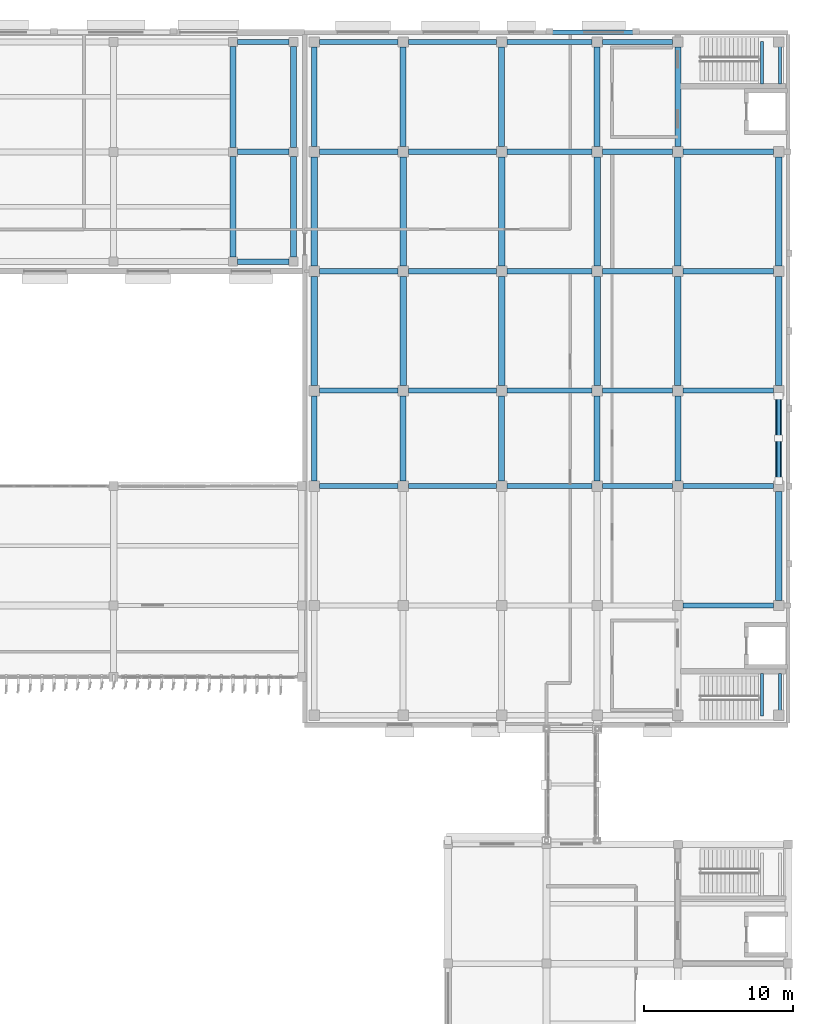
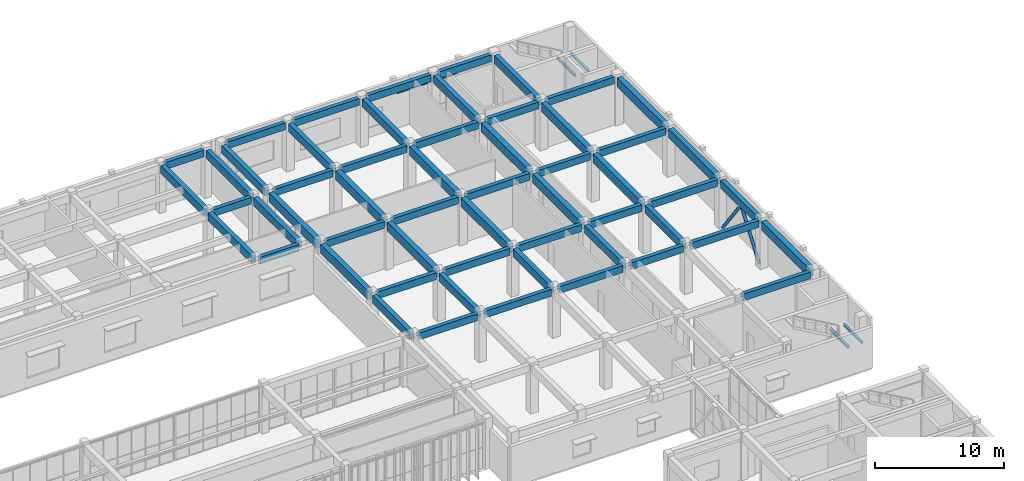
# One storey, part 26 of 64: 61 beams, 2 members.
"""IFC4 building model written with IfcOpenShell, lengths in metres."""

from ifc_helpers import new_model, si_unit, direction, frame, origin, origin_2d, place, context, subcontext, project, spatial, rectangle, hollow_circle, i_section, extrude, material, material_profile, profile_set, type_object, element, save


model = new_model("IFC4")

# Units and contexts
model_context = context("Model", 3, precision=1e-05, world=origin(), true_north=direction((0.0, 1.0)))
body_context = subcontext(model_context, "Body", "Model", "MODEL_VIEW")
ifc_project = project(units=[si_unit("LENGTHUNIT", "METRE"), si_unit("AREAUNIT", "SQUARE_METRE"), si_unit("VOLUMEUNIT", "CUBIC_METRE"), si_unit("PLANEANGLEUNIT", "RADIAN"), si_unit("MASSUNIT", "GRAM", prefix="KILO")], contexts=[model_context])

# Site, building, storey
site_placement = place(None, origin())
site = spatial("IfcSite", under=ifc_project, at=site_placement, CompositionType="ELEMENT")
building_placement = place(site_placement, origin())
building = spatial("IfcBuilding", under=site, at=building_placement, Name="Cinchona Park Media Centre", CompositionType="ELEMENT")
storey_placement = place(building_placement, frame((0.0, 0.0, 5.39990234375)))
storey = spatial("IfcBuildingStorey", under=building, at=storey_placement, Name="L01", CompositionType="ELEMENT", Elevation=5.39990234375)

# Beams
ifc_material_1 = material(Name="Concrete C35/45", Category="concrete")
ifc_material_profile_1 = material_profile(ifc_material_1, rectangle(XDim=0.39990234375, YDim=0.75, at=origin_2d()), Name="RB 400X750")
ifc_profile_set_1 = profile_set([ifc_material_profile_1], Name="Concrete C35/45")
beam_type_1 = type_object("IfcBeamType", Name="BEAM-B01-RB400X750", PredefinedType="BEAM", material=ifc_profile_set_1)
for number, where, z_axis, x_axis, name in (
    (1, (134.800048828125, 102.93994140625, 4.1650390625), (0.0, 1.0, 0.0), (-1.0, 0.0, 0.0), "Girder B01 L01"),
    (2, (134.800048828125, 110.300048828125, 4.1650390625), (0.0, 1.0, 0.0), (-1.0, 0.0, 0.0), "Girder B01 L01"),
    (3, (138.860107421875, 102.93994140625, 4.1650390625), (0.0, 1.0, 0.0), (-1.0, 0.0, 0.0), "Girder B01 L01"),
    (4, (138.860107421875, 110.300048828125, 4.1650390625), (0.0, 1.0, 0.0), (-1.0, 0.0, 0.0), "Girder B01 L01"),
):
    element("IfcBeam", number, at=place(storey_placement, frame(where, z_axis=z_axis, x_axis=x_axis)), inside=storey, type_object=beam_type_1, Name=name, PredefinedType="BEAM", context=body_context, shape_type="SweptSolid", body=[
        extrude(rectangle(XDim=0.39990234375, YDim=0.75, at=origin_2d()), origin(), (0.0, 0.0, 1.0), 6.760009765625),
    ])
beam_1_placement = place(storey_placement, frame((140.239990234375, 87.949951171875, 4.175048828125), z_axis=(0.0, 1.0, 0.0), x_axis=(-1.0, 0.0, 0.0)))
element("IfcBeam", 5, at=beam_1_placement, inside=storey, type_object=beam_type_1, Name="Girder B01 L01", PredefinedType="BEAM", context=body_context, shape_type="SweptSolid", body=[
    extrude(rectangle(XDim=0.39990234375, YDim=0.75, at=origin_2d()), origin(), (0.0, 0.0, 1.0), 5.699951171875),
])
beam_2_placement = place(storey_placement, frame((140.239990234375, 110.35009765625, 4.175048828125), z_axis=(0.0, 1.0, 0.0), x_axis=(-1.0, 0.0, 0.0)))
element("IfcBeam", 6, at=beam_2_placement, inside=storey, type_object=beam_type_1, Name="Girder B01 L01", PredefinedType="BEAM", context=body_context, shape_type="SweptSolid", body=[
    extrude(rectangle(XDim=0.39990234375, YDim=0.75, at=origin_2d()), origin(), (0.0, 0.0, 1.0), 6.659912109375),
])
beam_3_placement = place(storey_placement, frame((146.199951171875, 87.949951171875, 4.175048828125), z_axis=(0.0, 1.0, 0.0), x_axis=(-1.0, 0.0, 0.0)))
element("IfcBeam", 7, at=beam_3_placement, inside=storey, type_object=beam_type_1, Name="Girder B01 L01", PredefinedType="BEAM", context=body_context, shape_type="SweptSolid", body=[
    extrude(rectangle(XDim=0.39990234375, YDim=0.75, at=origin_2d()), origin(), (0.0, 0.0, 1.0), 5.699951171875),
])
beam_4_placement = place(storey_placement, frame((146.199951171875, 110.35009765625, 4.175048828125), z_axis=(0.0, 1.0, 0.0), x_axis=(-1.0, 0.0, 0.0)))
element("IfcBeam", 8, at=beam_4_placement, inside=storey, type_object=beam_type_1, Name="Girder B01 L01", PredefinedType="BEAM", context=body_context, shape_type="SweptSolid", body=[
    extrude(rectangle(XDim=0.39990234375, YDim=0.75, at=origin_2d()), origin(), (0.0, 0.0, 1.0), 6.659912109375),
])
beam_5_placement = place(storey_placement, frame((152.800048828125, 87.949951171875, 4.175048828125), z_axis=(0.0, 1.0, 0.0), x_axis=(-1.0, 0.0, 0.0)))
element("IfcBeam", 9, at=beam_5_placement, inside=storey, type_object=beam_type_1, Name="Girder B01 L01", PredefinedType="BEAM", context=body_context, shape_type="SweptSolid", body=[
    extrude(rectangle(XDim=0.39990234375, YDim=0.75, at=origin_2d()), origin(), (0.0, 0.0, 1.0), 5.699951171875),
])
beam_6_placement = place(storey_placement, frame((152.800048828125, 110.35009765625, 4.175048828125), z_axis=(0.0, 1.0, 0.0), x_axis=(-1.0, 0.0, 0.0)))
element("IfcBeam", 10, at=beam_6_placement, inside=storey, type_object=beam_type_1, Name="Girder B01 L01", PredefinedType="BEAM", context=body_context, shape_type="SweptSolid", body=[
    extrude(rectangle(XDim=0.39990234375, YDim=0.75, at=origin_2d()), origin(), (0.0, 0.0, 1.0), 6.659912109375),
])
beam_7_placement = place(storey_placement, frame((159.199951171875, 87.949951171875, 4.175048828125), z_axis=(0.0, 1.0, 0.0), x_axis=(-1.0, 0.0, 0.0)))
element("IfcBeam", 11, at=beam_7_placement, inside=storey, type_object=beam_type_1, Name="Girder B01 L01", PredefinedType="BEAM", context=body_context, shape_type="SweptSolid", body=[
    extrude(rectangle(XDim=0.39990234375, YDim=0.75, at=origin_2d()), origin(), (0.0, 0.0, 1.0), 5.699951171875),
])
beam_8_placement = place(storey_placement, frame((159.199951171875, 110.35009765625, 4.175048828125), z_axis=(0.0, 1.0, 0.0), x_axis=(-1.0, 0.0, 0.0)))
element("IfcBeam", 12, at=beam_8_placement, inside=storey, type_object=beam_type_1, Name="Girder B01 L01", PredefinedType="BEAM", context=body_context, shape_type="SweptSolid", body=[
    extrude(rectangle(XDim=0.39990234375, YDim=0.75, at=origin_2d()), origin(), (0.0, 0.0, 1.0), 6.659912109375),
])
beam_9_placement = place(storey_placement, frame((164.60009765625, 87.949951171875, 4.175048828125), z_axis=(0.0, 1.0, 0.0), x_axis=(-1.0, 0.0, 0.0)))
element("IfcBeam", 13, at=beam_9_placement, inside=storey, type_object=beam_type_1, Name="Girder B01 L01", PredefinedType="BEAM", context=body_context, shape_type="SweptSolid", body=[
    extrude(rectangle(XDim=0.39990234375, YDim=0.75, at=origin_2d()), origin(), (0.0, 0.0, 1.0), 5.699951171875),
])
beam_10_placement = place(storey_placement, frame((164.60009765625, 110.35009765625, 4.175048828125), z_axis=(0.0, 1.0, 0.0), x_axis=(-1.0, 0.0, 0.0)))
element("IfcBeam", 14, at=beam_10_placement, inside=storey, type_object=beam_type_1, Name="Girder B01 L01", PredefinedType="BEAM", context=body_context, shape_type="SweptSolid", body=[
    extrude(rectangle(XDim=0.39990234375, YDim=0.75, at=origin_2d()), origin(), (0.0, 0.0, 1.0), 6.659912109375),
])
beam_11_placement = place(storey_placement, frame((171.360107421875, 87.949951171875, 4.175048828125), z_axis=(0.0, 1.0, 0.0), x_axis=(-1.0, 0.0, 0.0)))
element("IfcBeam", 15, at=beam_11_placement, inside=storey, type_object=beam_type_1, Name="Girder B01 L01", PredefinedType="BEAM", context=body_context, shape_type="SweptSolid", body=[
    extrude(rectangle(XDim=0.39990234375, YDim=0.75, at=origin_2d()), origin(), (0.0, 0.0, 1.0), 5.699951171875),
])
ifc_material_2 = material(Name="Concrete C35/45", Category="concrete")
ifc_material_profile_2 = material_profile(ifc_material_2, rectangle(XDim=0.449951171875, YDim=0.85009765625, at=origin_2d()), Name="RB 450X850")
ifc_profile_set_2 = profile_set([ifc_material_profile_2], Name="Concrete C35/45")
beam_type_2 = type_object("IfcBeamType", Name="BEAM-B02-RB450X850", PredefinedType="BEAM", material=ifc_profile_set_2)
for number, where, z_axis, x_axis, name in (
    (16, (140.239990234375, 94.35009765625, 4.125), (0.0, 1.0, 0.0), (-1.0, 0.0, 0.0), "Girder B02 L01"),
    (17, (140.239990234375, 102.35009765625, 4.125), (0.0, 1.0, 0.0), (-1.0, 0.0, 0.0), "Girder B02 L01"),
    (18, (146.199951171875, 94.35009765625, 4.125), (0.0, 1.0, 0.0), (-1.0, 0.0, 0.0), "Girder B02 L01"),
    (19, (146.199951171875, 102.35009765625, 4.125), (0.0, 1.0, 0.0), (-1.0, 0.0, 0.0), "Girder B02 L01"),
    (20, (152.800048828125, 94.35009765625, 4.125), (0.0, 1.0, 0.0), (-1.0, 0.0, 0.0), "Girder B02 L01"),
    (21, (152.800048828125, 102.35009765625, 4.125), (0.0, 1.0, 0.0), (-1.0, 0.0, 0.0), "Girder B02 L01"),
    (22, (159.199951171875, 94.35009765625, 4.125), (0.0, 1.0, 0.0), (-1.0, 0.0, 0.0), "Girder B02 L01"),
    (23, (159.199951171875, 102.35009765625, 4.125), (0.0, 1.0, 0.0), (-1.0, 0.0, 0.0), "Girder B02 L01"),
    (24, (164.60009765625, 94.35009765625, 4.125), (0.0, 1.0, 0.0), (-1.0, 0.0, 0.0), "Girder B02 L01"),
    (25, (164.60009765625, 102.35009765625, 4.125), (0.0, 1.0, 0.0), (-1.0, 0.0, 0.0), "Girder B02 L01"),
):
    element("IfcBeam", number, at=place(storey_placement, frame(where, z_axis=z_axis, x_axis=x_axis)), inside=storey, type_object=beam_type_2, Name=name, PredefinedType="BEAM", context=body_context, shape_type="SweptSolid", body=[
        extrude(rectangle(XDim=0.449951171875, YDim=0.85009765625, at=origin_2d()), origin(), (0.0, 0.0, 1.0), 7.2998046875),
    ])
beam_12_placement = place(storey_placement, frame((171.360107421875, 79.949951171875, 4.125), z_axis=(0.0, 1.0, 0.0), x_axis=(-1.0, 0.0, 0.0)))
element("IfcBeam", 26, at=beam_12_placement, inside=storey, type_object=beam_type_2, Name="Girder B02 L01", PredefinedType="BEAM", context=body_context, shape_type="SweptSolid", body=[
    extrude(rectangle(XDim=0.449951171875, YDim=0.85009765625, at=origin_2d()), origin(), (0.0, 0.0, 1.0), 7.300048828125),
])
for number, where, z_axis, x_axis, name in (
    (27, (171.360107421875, 94.35009765625, 4.125), (0.0, 1.0, 0.0), (-1.0, 0.0, 0.0), "Girder B02 L01"),
    (28, (171.360107421875, 102.35009765625, 4.125), (0.0, 1.0, 0.0), (-1.0, 0.0, 0.0), "Girder B02 L01"),
):
    element("IfcBeam", number, at=place(storey_placement, frame(where, z_axis=z_axis, x_axis=x_axis)), inside=storey, type_object=beam_type_2, Name=name, PredefinedType="BEAM", context=body_context, shape_type="SweptSolid", body=[
        extrude(rectangle(XDim=0.449951171875, YDim=0.85009765625, at=origin_2d()), origin(), (0.0, 0.0, 1.0), 7.2998046875),
    ])
ifc_material_3 = material(Name="Concrete C35/45", Category="concrete")
ifc_material_profile_3 = material_profile(ifc_material_3, rectangle(XDim=0.35009765625, YDim=0.64990234375, at=origin_2d()), Name="RB 350X650")
ifc_profile_set_3 = profile_set([ifc_material_profile_3], Name="Concrete C35/45")
beam_type_3 = type_object("IfcBeamType", Name="BEAM-B04-RB350X650", PredefinedType="BEAM", material=ifc_profile_set_3)
for number, where, z_axis, x_axis, name in (
    (29, (135.10009765625, 102.639892578125, 4.215087890625), (1.0, 0.0, 0.0), (0.0, 1.0, 0.0), "Beam B04 L01"),
    (30, (135.10009765625, 110.0, 4.215087890625), (1.0, 0.0, 0.0), (0.0, 1.0, 0.0), "Beam B04 L01"),
    (31, (135.10009765625, 117.360107421875, 4.215087890625), (1.0, 0.0, 0.0), (0.0, 1.0, 0.0), "Beam B04 L01"),
):
    element("IfcBeam", number, at=place(storey_placement, frame(where, z_axis=z_axis, x_axis=x_axis)), inside=storey, type_object=beam_type_3, Name=name, PredefinedType="BEAM", context=body_context, shape_type="SweptSolid", body=[
        extrude(rectangle(XDim=0.35009765625, YDim=0.64990234375, at=origin_2d()), origin(), (0.0, 0.0, 1.0), 3.4599609375),
    ])
beam_13_placement = place(storey_placement, frame((164.949951171875, 79.60009765625, 4.22509765625), z_axis=(1.0, 0.0, 0.0), x_axis=(0.0, 1.0, 0.0)))
element("IfcBeam", 32, at=beam_13_placement, inside=storey, type_object=beam_type_3, Name="Beam B04 L01", PredefinedType="BEAM", context=body_context, shape_type="SweptSolid", body=[
    extrude(rectangle(XDim=0.35009765625, YDim=0.64990234375, at=origin_2d()), origin(), (0.0, 0.0, 1.0), 6.06005859375),
])
beam_14_placement = place(storey_placement, frame((140.590087890625, 87.60009765625, 4.22509765625), z_axis=(1.0, 0.0, 0.0), x_axis=(0.0, 1.0, 0.0)))
element("IfcBeam", 33, at=beam_14_placement, inside=storey, type_object=beam_type_3, Name="Beam B04 L01", PredefinedType="BEAM", context=body_context, shape_type="SweptSolid", body=[
    extrude(rectangle(XDim=0.35009765625, YDim=0.64990234375, at=origin_2d()), origin(), (0.0, 0.0, 1.0), 5.260009765625),
])
beam_15_placement = place(storey_placement, frame((146.550048828125, 87.60009765625, 4.22509765625), z_axis=(1.0, 0.0, 0.0), x_axis=(0.0, 1.0, 0.0)))
element("IfcBeam", 34, at=beam_15_placement, inside=storey, type_object=beam_type_3, Name="Beam B04 L01", PredefinedType="BEAM", context=body_context, shape_type="SweptSolid", body=[
    extrude(rectangle(XDim=0.35009765625, YDim=0.64990234375, at=origin_2d()), origin(), (0.0, 0.0, 1.0), 5.89990234375),
])
beam_16_placement = place(storey_placement, frame((153.14990234375, 87.60009765625, 4.22509765625), z_axis=(1.0, 0.0, 0.0), x_axis=(0.0, 1.0, 0.0)))
element("IfcBeam", 35, at=beam_16_placement, inside=storey, type_object=beam_type_3, Name="Beam B04 L01", PredefinedType="BEAM", context=body_context, shape_type="SweptSolid", body=[
    extrude(rectangle(XDim=0.35009765625, YDim=0.64990234375, at=origin_2d()), origin(), (0.0, 0.0, 1.0), 5.7001953125),
])
beam_17_placement = place(storey_placement, frame((159.550048828125, 87.60009765625, 4.22509765625), z_axis=(1.0, 0.0, 0.0), x_axis=(0.0, 1.0, 0.0)))
element("IfcBeam", 36, at=beam_17_placement, inside=storey, type_object=beam_type_3, Name="Beam B04 L01", PredefinedType="BEAM", context=body_context, shape_type="SweptSolid", body=[
    extrude(rectangle(XDim=0.35009765625, YDim=0.64990234375, at=origin_2d()), origin(), (0.0, 0.0, 1.0), 4.699951171875),
])
beam_18_placement = place(storey_placement, frame((164.949951171875, 87.60009765625, 4.22509765625), z_axis=(1.0, 0.0, 0.0), x_axis=(0.0, 1.0, 0.0)))
element("IfcBeam", 37, at=beam_18_placement, inside=storey, type_object=beam_type_3, Name="Beam B04 L01", PredefinedType="BEAM", context=body_context, shape_type="SweptSolid", body=[
    extrude(rectangle(XDim=0.35009765625, YDim=0.64990234375, at=origin_2d()), origin(), (0.0, 0.0, 1.0), 6.06005859375),
])
beam_19_placement = place(storey_placement, frame((140.590087890625, 94.0, 4.22509765625), z_axis=(1.0, 0.0, 0.0), x_axis=(0.0, 1.0, 0.0)))
element("IfcBeam", 38, at=beam_19_placement, inside=storey, type_object=beam_type_3, Name="Beam B04 L01", PredefinedType="BEAM", context=body_context, shape_type="SweptSolid", body=[
    extrude(rectangle(XDim=0.35009765625, YDim=0.64990234375, at=origin_2d()), origin(), (0.0, 0.0, 1.0), 5.260009765625),
])
beam_20_placement = place(storey_placement, frame((146.550048828125, 94.0, 4.22509765625), z_axis=(1.0, 0.0, 0.0), x_axis=(0.0, 1.0, 0.0)))
element("IfcBeam", 39, at=beam_20_placement, inside=storey, type_object=beam_type_3, Name="Beam B04 L01", PredefinedType="BEAM", context=body_context, shape_type="SweptSolid", body=[
    extrude(rectangle(XDim=0.35009765625, YDim=0.64990234375, at=origin_2d()), origin(), (0.0, 0.0, 1.0), 5.89990234375),
])
beam_21_placement = place(storey_placement, frame((153.14990234375, 94.0, 4.22509765625), z_axis=(1.0, 0.0, 0.0), x_axis=(0.0, 1.0, 0.0)))
element("IfcBeam", 40, at=beam_21_placement, inside=storey, type_object=beam_type_3, Name="Beam B04 L01", PredefinedType="BEAM", context=body_context, shape_type="SweptSolid", body=[
    extrude(rectangle(XDim=0.35009765625, YDim=0.64990234375, at=origin_2d()), origin(), (0.0, 0.0, 1.0), 5.7001953125),
])
beam_22_placement = place(storey_placement, frame((159.550048828125, 94.0, 4.22509765625), z_axis=(1.0, 0.0, 0.0), x_axis=(0.0, 1.0, 0.0)))
element("IfcBeam", 41, at=beam_22_placement, inside=storey, type_object=beam_type_3, Name="Beam B04 L01", PredefinedType="BEAM", context=body_context, shape_type="SweptSolid", body=[
    extrude(rectangle(XDim=0.35009765625, YDim=0.64990234375, at=origin_2d()), origin(), (0.0, 0.0, 1.0), 4.699951171875),
])
beam_23_placement = place(storey_placement, frame((164.949951171875, 94.0, 4.22509765625), z_axis=(1.0, 0.0, 0.0), x_axis=(0.0, 1.0, 0.0)))
element("IfcBeam", 42, at=beam_23_placement, inside=storey, type_object=beam_type_3, Name="Beam B04 L01", PredefinedType="BEAM", context=body_context, shape_type="SweptSolid", body=[
    extrude(rectangle(XDim=0.35009765625, YDim=0.64990234375, at=origin_2d()), origin(), (0.0, 0.0, 1.0), 6.06005859375),
])
beam_24_placement = place(storey_placement, frame((140.590087890625, 102.0, 4.22509765625), z_axis=(1.0, 0.0, 0.0), x_axis=(0.0, 1.0, 0.0)))
element("IfcBeam", 43, at=beam_24_placement, inside=storey, type_object=beam_type_3, Name="Beam B04 L01", PredefinedType="BEAM", context=body_context, shape_type="SweptSolid", body=[
    extrude(rectangle(XDim=0.35009765625, YDim=0.64990234375, at=origin_2d()), origin(), (0.0, 0.0, 1.0), 5.260009765625),
])
beam_25_placement = place(storey_placement, frame((146.550048828125, 102.0, 4.22509765625), z_axis=(1.0, 0.0, 0.0), x_axis=(0.0, 1.0, 0.0)))
element("IfcBeam", 44, at=beam_25_placement, inside=storey, type_object=beam_type_3, Name="Beam B04 L01", PredefinedType="BEAM", context=body_context, shape_type="SweptSolid", body=[
    extrude(rectangle(XDim=0.35009765625, YDim=0.64990234375, at=origin_2d()), origin(), (0.0, 0.0, 1.0), 5.89990234375),
])
beam_26_placement = place(storey_placement, frame((153.14990234375, 102.0, 4.22509765625), z_axis=(1.0, 0.0, 0.0), x_axis=(0.0, 1.0, 0.0)))
element("IfcBeam", 45, at=beam_26_placement, inside=storey, type_object=beam_type_3, Name="Beam B04 L01", PredefinedType="BEAM", context=body_context, shape_type="SweptSolid", body=[
    extrude(rectangle(XDim=0.35009765625, YDim=0.64990234375, at=origin_2d()), origin(), (0.0, 0.0, 1.0), 5.7001953125),
])
beam_27_placement = place(storey_placement, frame((159.550048828125, 102.0, 4.22509765625), z_axis=(1.0, 0.0, 0.0), x_axis=(0.0, 1.0, 0.0)))
element("IfcBeam", 46, at=beam_27_placement, inside=storey, type_object=beam_type_3, Name="Beam B04 L01", PredefinedType="BEAM", context=body_context, shape_type="SweptSolid", body=[
    extrude(rectangle(XDim=0.35009765625, YDim=0.64990234375, at=origin_2d()), origin(), (0.0, 0.0, 1.0), 4.699951171875),
])
beam_28_placement = place(storey_placement, frame((164.949951171875, 102.0, 4.22509765625), z_axis=(1.0, 0.0, 0.0), x_axis=(0.0, 1.0, 0.0)))
element("IfcBeam", 47, at=beam_28_placement, inside=storey, type_object=beam_type_3, Name="Beam B04 L01", PredefinedType="BEAM", context=body_context, shape_type="SweptSolid", body=[
    extrude(rectangle(XDim=0.35009765625, YDim=0.64990234375, at=origin_2d()), origin(), (0.0, 0.0, 1.0), 6.06005859375),
])
beam_29_placement = place(storey_placement, frame((140.590087890625, 110.0, 4.22509765625), z_axis=(1.0, 0.0, 0.0), x_axis=(0.0, 1.0, 0.0)))
element("IfcBeam", 48, at=beam_29_placement, inside=storey, type_object=beam_type_3, Name="Beam B04 L01", PredefinedType="BEAM", context=body_context, shape_type="SweptSolid", body=[
    extrude(rectangle(XDim=0.35009765625, YDim=0.64990234375, at=origin_2d()), origin(), (0.0, 0.0, 1.0), 5.260009765625),
])
beam_30_placement = place(storey_placement, frame((146.550048828125, 110.0, 4.22509765625), z_axis=(1.0, 0.0, 0.0), x_axis=(0.0, 1.0, 0.0)))
element("IfcBeam", 49, at=beam_30_placement, inside=storey, type_object=beam_type_3, Name="Beam B04 L01", PredefinedType="BEAM", context=body_context, shape_type="SweptSolid", body=[
    extrude(rectangle(XDim=0.35009765625, YDim=0.64990234375, at=origin_2d()), origin(), (0.0, 0.0, 1.0), 5.89990234375),
])
beam_31_placement = place(storey_placement, frame((153.14990234375, 110.0, 4.22509765625), z_axis=(1.0, 0.0, 0.0), x_axis=(0.0, 1.0, 0.0)))
element("IfcBeam", 50, at=beam_31_placement, inside=storey, type_object=beam_type_3, Name="Beam B04 L01", PredefinedType="BEAM", context=body_context, shape_type="SweptSolid", body=[
    extrude(rectangle(XDim=0.35009765625, YDim=0.64990234375, at=origin_2d()), origin(), (0.0, 0.0, 1.0), 5.7001953125),
])
beam_32_placement = place(storey_placement, frame((159.550048828125, 110.0, 4.22509765625), z_axis=(1.0, 0.0, 0.0), x_axis=(0.0, 1.0, 0.0)))
element("IfcBeam", 51, at=beam_32_placement, inside=storey, type_object=beam_type_3, Name="Beam B04 L01", PredefinedType="BEAM", context=body_context, shape_type="SweptSolid", body=[
    extrude(rectangle(XDim=0.35009765625, YDim=0.64990234375, at=origin_2d()), origin(), (0.0, 0.0, 1.0), 4.699951171875),
])
beam_33_placement = place(storey_placement, frame((164.949951171875, 110.0, 4.22509765625), z_axis=(1.0, 0.0, 0.0), x_axis=(0.0, 1.0, 0.0)))
element("IfcBeam", 52, at=beam_33_placement, inside=storey, type_object=beam_type_3, Name="Beam B04 L01", PredefinedType="BEAM", context=body_context, shape_type="SweptSolid", body=[
    extrude(rectangle(XDim=0.35009765625, YDim=0.64990234375, at=origin_2d()), origin(), (0.0, 0.0, 1.0), 6.06005859375),
])
beam_34_placement = place(storey_placement, frame((140.590087890625, 117.360107421875, 4.22509765625), z_axis=(1.0, 0.0, 0.0), x_axis=(0.0, 1.0, 0.0)))
element("IfcBeam", 53, at=beam_34_placement, inside=storey, type_object=beam_type_3, Name="Beam B04 L01", PredefinedType="BEAM", context=body_context, shape_type="SweptSolid", body=[
    extrude(rectangle(XDim=0.35009765625, YDim=0.64990234375, at=origin_2d()), origin(), (0.0, 0.0, 1.0), 5.260009765625),
])
beam_35_placement = place(storey_placement, frame((146.550048828125, 117.360107421875, 4.22509765625), z_axis=(1.0, 0.0, 0.0), x_axis=(0.0, 1.0, 0.0)))
element("IfcBeam", 54, at=beam_35_placement, inside=storey, type_object=beam_type_3, Name="Beam B04 L01", PredefinedType="BEAM", context=body_context, shape_type="SweptSolid", body=[
    extrude(rectangle(XDim=0.35009765625, YDim=0.64990234375, at=origin_2d()), origin(), (0.0, 0.0, 1.0), 5.89990234375),
])
beam_36_placement = place(storey_placement, frame((153.14990234375, 117.360107421875, 4.22509765625), z_axis=(1.0, 0.0, 0.0), x_axis=(0.0, 1.0, 0.0)))
element("IfcBeam", 55, at=beam_36_placement, inside=storey, type_object=beam_type_3, Name="Beam B04 L01", PredefinedType="BEAM", context=body_context, shape_type="SweptSolid", body=[
    extrude(rectangle(XDim=0.35009765625, YDim=0.64990234375, at=origin_2d()), origin(), (0.0, 0.0, 1.0), 5.7001953125),
])
beam_37_placement = place(storey_placement, frame((159.550048828125, 117.360107421875, 4.22509765625), z_axis=(1.0, 0.0, 0.0), x_axis=(0.0, 1.0, 0.0)))
element("IfcBeam", 56, at=beam_37_placement, inside=storey, type_object=beam_type_3, Name="Beam B04 L01", PredefinedType="BEAM", context=body_context, shape_type="SweptSolid", body=[
    extrude(rectangle(XDim=0.35009765625, YDim=0.64990234375, at=origin_2d()), origin(), (0.0, 0.0, 1.0), 4.699951171875),
])
ifc_material_4 = material(Name="Steel S355", Category="steel")
ifc_material_profile_4 = material_profile(ifc_material_4, i_section(OverallWidth=0.202880859375, OverallDepth=0.202880859375, WebThickness=0.007080078125, FlangeThickness=0.010986328125, at=origin_2d()), Name="W200X46")
ifc_profile_set_4 = profile_set([ifc_material_profile_4], Name="Steel S355")
beam_type_4 = type_object("IfcBeamType", Name="BEAM-B10-W200X46", PredefinedType="BEAM", material=ifc_profile_set_4)
for number, where, z_axis, x_axis, name in (
    (57, (170.239990234375, 75.044921875, 2.093505859375), (0.0, -1.0, 0.0), (1.0, 0.0, 0.0), "Stair Landing Bearer Beam B10 ST1 L01"),
    (58, (171.4599609375, 75.044921875, 2.093505859375), (0.0, -1.0, 0.0), (1.0, 0.0, 0.0), "Stair Landing Bearer Beam B10 ST1 L01"),
    (59, (170.239990234375, 114.554931640625, 2.093505859375), (0.0, 1.0, 0.0), (-1.0, 0.0, 0.0), "Stair Landing Bearer Beam B10 ST2 L01"),
    (60, (171.4599609375, 114.554931640625, 2.093505859375), (0.0, 1.0, 0.0), (-1.0, 0.0, 0.0), "Stair Landing Bearer Beam B10 ST2 L01"),
):
    element("IfcBeam", number, at=place(storey_placement, frame(where, z_axis=z_axis, x_axis=x_axis)), inside=storey, type_object=beam_type_4, Name=name, PredefinedType="BEAM", context=body_context, shape_type="SweptSolid", body=[
        extrude(i_section(OverallWidth=0.202880859375, OverallDepth=0.202880859375, WebThickness=0.007080078125, FlangeThickness=0.010986328125, at=origin_2d()), origin(), (0.0, 0.0, 1.0), 2.844970703125),
    ])
ifc_material_5 = material(Name="Concrete C35/45", Category="concrete")
ifc_material_profile_5 = material_profile(ifc_material_5, rectangle(XDim=0.300048828125, YDim=0.39990234375, at=origin_2d()), Name="RL 300X400")
ifc_profile_set_5 = profile_set([ifc_material_profile_5], Name="Concrete C35/45")
beam_type_5 = type_object("IfcBeamType", Name="BEAM-LN02-RL300X400", PredefinedType="LINTEL", material=ifc_profile_set_5)
beam_38_placement = place(storey_placement, frame((156.205078125, 118.0, 3.4501953125), z_axis=(1.0, 0.0, 0.0), x_axis=(0.0, 1.0, 0.0)))
element("IfcBeam", 61, at=beam_38_placement, inside=storey, type_object=beam_type_5, Name="Window Lintel LN02", PredefinedType="LINTEL", context=body_context, shape_type="SweptSolid", body=[
    extrude(rectangle(XDim=0.300048828125, YDim=0.39990234375, at=origin_2d()), origin(), (0.0, 0.0, 1.0), 5.389892578125),
])

# Members
ifc_material_6 = material(Name="Steel S355", Category="steel")
ifc_material_profile_6 = material_profile(ifc_material_6, hollow_circle(Radius=0.136474609375, WallThickness=0.01611328125, at=origin_2d()), Name="273X16CHS")
ifc_profile_set_6 = profile_set([ifc_material_profile_6], Name="Steel S355")
member_type = type_object("IfcMemberType", Name="MEMBER-BR01-CHS273X16", PredefinedType="BRACE", material=ifc_profile_set_6)
for number, where, z_axis, x_axis, name in (
    (62, (171.360107421875, 87.955078125, 0.005126953125), (0.0, 0.594801447433, 0.803872650444), (-1.0, 0.0, 0.0), "Vertical Chevron Brace BR01 L01"),
    (63, (171.360107421875, 93.64501953125, 0.005126953125), (0.0, -0.594801447433, 0.803872650444), (1.0, 0.0, 0.0), "Vertical Chevron Brace BR01 L01"),
):
    element("IfcMember", number, at=place(storey_placement, frame(where, z_axis=z_axis, x_axis=x_axis)), inside=storey, type_object=member_type, Name=name, PredefinedType="BRACE", context=body_context, shape_type="SweptSolid", body=[
        extrude(hollow_circle(Radius=0.136474609375, WallThickness=0.01611328125, at=origin_2d()), origin(), (0.0, 0.0, 1.0), 4.782958984375),
    ])

save(model, "model.ifc")
